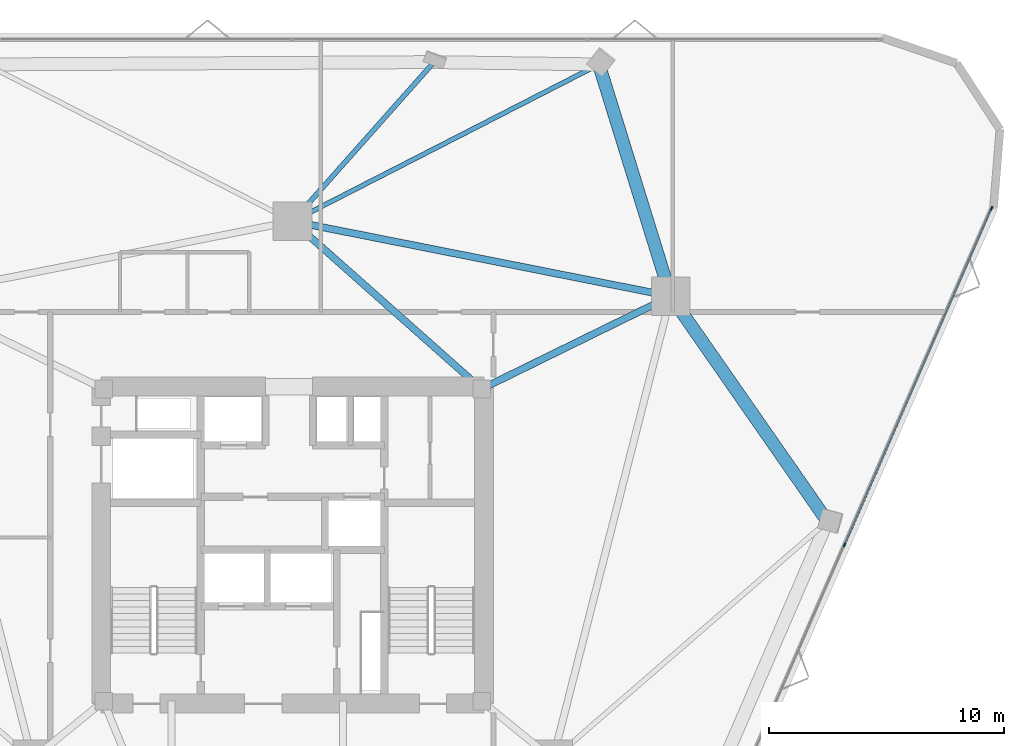
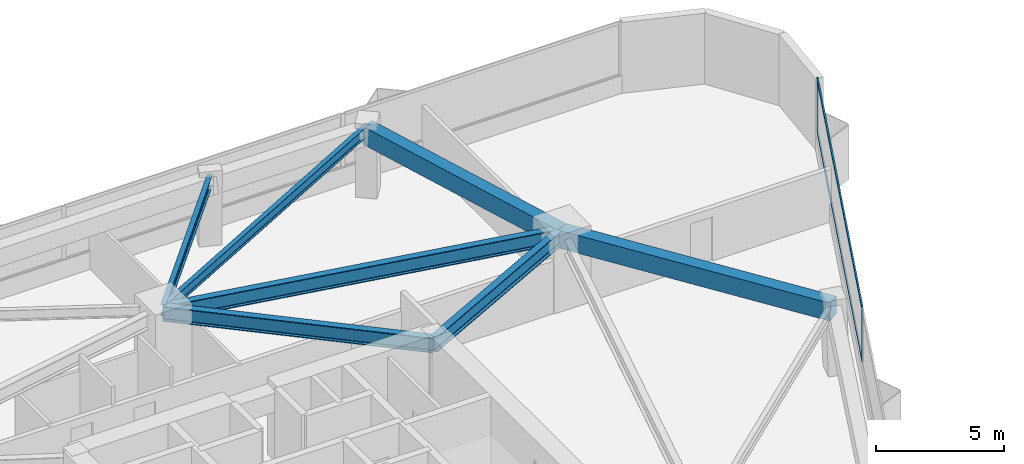
# One storey, part 6 of 15: 7 beams, 4 members, 1 element without a shape of its own.
"""IFC4 building model written with IfcOpenShell, lengths in metres."""

from ifc_helpers import new_model, si_unit, direction, frame, origin, origin_2d, place, context, subcontext, project, spatial, rectangle, i_section, extrude, material, layer, layer_set, material_profile, profile_set, type_object, element, aggregate, save


model = new_model("IFC4")

# Units and contexts
model_context = context("Model", 3, precision=1e-05, world=origin(), true_north=direction((0.0, 1.0)))
body_context = subcontext(model_context, "Body", "Model", "MODEL_VIEW")
ifc_project = project(units=[si_unit("LENGTHUNIT", "METRE"), si_unit("AREAUNIT", "SQUARE_METRE"), si_unit("VOLUMEUNIT", "CUBIC_METRE"), si_unit("PLANEANGLEUNIT", "RADIAN"), si_unit("MASSUNIT", "GRAM", prefix="KILO")], contexts=[model_context])

# Site, building, storey
site_placement = place(None, origin())
site = spatial("IfcSite", under=ifc_project, at=site_placement, CompositionType="ELEMENT")
building_placement = place(site_placement, origin())
building = spatial("IfcBuilding", under=site, at=building_placement, Name="Talyreon Biosciences Tower", CompositionType="ELEMENT")
storey_placement = place(building_placement, frame((0.0, 0.0, 111.5)))
storey = spatial("IfcBuildingStorey", under=building, at=storey_placement, Name="L29", CompositionType="ELEMENT", Elevation=111.5)

# Curtain wall, members
ifc_material_1 = material(Name="Thermally broken aluminium and low-E glazing", Category="aluminium")
ifc_layer = layer(ifc_material_1, 0.18994140625)
ifc_layer_set = layer_set([ifc_layer], Name="Thermally broken aluminium and low-E glazing")
curtain_wall_type = type_object("IfcCurtainWallType", Name="CurtainWall_Zone2Genomics", PredefinedType="NOTDEFINED", material=ifc_layer_set)
curtain_wall_placement = place(storey_placement, origin())
curtain_wall = element("IfcCurtainWall", 1, at=curtain_wall_placement, inside=storey, type_object=curtain_wall_type, Name="L29 Unitised Curtain Wall FCW-L29-08", PredefinedType="NOTDEFINED")
ifc_material_2 = material(Name="Anodised thermally broken aluminium", Category="aluminium")
ifc_material_profile_1 = material_profile(ifc_material_2, rectangle(XDim=0.06494140625, YDim=0.179931640625, at=origin_2d()), Name="ALUM MULLION 65x180")
ifc_profile_set_1 = profile_set([ifc_material_profile_1], Name="Anodised thermally broken aluminium")
member_type_1 = type_object("IfcMemberType", Name="CWMullion_65x180", PredefinedType="MULLION", material=ifc_profile_set_1)
member_1_placement = place(storey_placement, frame((95.767578125, 82.3408203125, 0.81005859375), z_axis=(0.0, 0.0, 1.0), x_axis=(0.916416470178, -0.400226002637, 0.0)))
member_1 = element("IfcMember", 2, at=member_1_placement, type_object=member_type_1, Name="CW3 mullion 1", PredefinedType="MULLION", context=body_context, shape_type="SweptSolid", body=[
    extrude(rectangle(XDim=0.06494140625, YDim=0.179931640625, at=origin_2d()), origin(), (0.0, 0.0, 1.0), 2.56494140625),
])
member_2_placement = place(storey_placement, frame((89.50830078125, 68.009033203125, 0.81005859375), z_axis=(0.0, 0.0, 1.0), x_axis=(0.916416470178, -0.400226002637, 0.0)))
member_2 = element("IfcMember", 3, at=member_2_placement, type_object=member_type_1, Name="CW3 mullion 2", PredefinedType="MULLION", context=body_context, shape_type="SweptSolid", body=[
    extrude(rectangle(XDim=0.06494140625, YDim=0.179931640625, at=origin_2d()), origin(), (0.0, 0.0, 1.0), 2.56494140625),
])
ifc_material_profile_2 = material_profile(ifc_material_2, rectangle(XDim=0.06494140625, YDim=0.139892578125, at=origin_2d()), Name="ALUM TRANSOM 65x140")
ifc_profile_set_2 = profile_set([ifc_material_profile_2], Name="Anodised thermally broken aluminium")
member_type_2 = type_object("IfcMemberType", Name="CWTransom_65x140", PredefinedType="USERDEFINED", material=ifc_profile_set_2)
member_3_placement = place(storey_placement, frame((95.75439453125, 82.31103515625, 0.842529296875), z_axis=(-0.400215954954, -0.916420858231, 0.0), x_axis=(0.916420858231, -0.400215954954, 0.0)))
member_3 = element("IfcMember", 4, at=member_3_placement, type_object=member_type_2, Name="CW3 transom 1.1", ObjectType="TRANSOM", PredefinedType="USERDEFINED", context=body_context, shape_type="SweptSolid", body=[
    extrude(rectangle(XDim=0.06494140625, YDim=0.139892578125, at=origin_2d()), origin(), (0.0, 0.0, 1.0), 15.573974609375),
])
member_4_placement = place(storey_placement, frame((95.75439453125, 82.31103515625, 3.342529296875), z_axis=(-0.400215954954, -0.916420858231, 0.0), x_axis=(0.916420858231, -0.400215954954, 0.0)))
member_4 = element("IfcMember", 5, at=member_4_placement, type_object=member_type_2, Name="CW3 transom 1.2", ObjectType="TRANSOM", PredefinedType="USERDEFINED", context=body_context, shape_type="SweptSolid", body=[
    extrude(rectangle(XDim=0.06494140625, YDim=0.139892578125, at=origin_2d()), origin(), (0.0, 0.0, 1.0), 15.573974609375),
])
aggregate(curtain_wall, [member_1, member_2, member_3, member_4])

# Beams
ifc_material_3 = material(Name="Precast concrete C45/55", Category="concrete")
ifc_material_profile_3 = material_profile(ifc_material_3, rectangle(XDim=0.550048828125, YDim=0.85009765625, at=origin_2d()), Name="RCB 550x850")
ifc_profile_set_3 = profile_set([ifc_material_profile_3], Name="Precast concrete C45/55")
beam_type_1 = type_object("IfcBeamType", Name="ExpressedSpandrel_550x850", PredefinedType="SPANDREL", material=ifc_profile_set_3)
beam_1_placement = place(storey_placement, frame((88.77880859375, 69.01171875, 2.949951171875), z_axis=(-0.571488727896, 0.820609915787, 0.0), x_axis=(-0.820609915787, -0.571488727896, 0.0)))
element("IfcBeam", 6, at=beam_1_placement, inside=storey, type_object=beam_type_1, Name="L29 Expressed Horizontal Concrete Spandrel 04", PredefinedType="SPANDREL", context=body_context, shape_type="SweptSolid", body=[
    extrude(rectangle(XDim=0.550048828125, YDim=0.85009765625, at=origin_2d()), origin(), (0.0, 0.0, 1.0), 11.6826171875),
])
beam_2_placement = place(storey_placement, frame((82.102294921875, 78.5986328125, 2.949951171875), z_axis=(-0.295777156112, 0.955256967482, 0.0), x_axis=(-0.955256967482, -0.295777156112, 0.0)))
element("IfcBeam", 7, at=beam_2_placement, inside=storey, type_object=beam_type_1, Name="L29 Expressed Horizontal Concrete Spandrel 05", PredefinedType="SPANDREL", context=body_context, shape_type="SweptSolid", body=[
    extrude(rectangle(XDim=0.550048828125, YDim=0.85009765625, at=origin_2d()), origin(), (0.0, 0.0, 1.0), 10.33349609375),
])
ifc_material_4 = material(Name="Steel SM355", Category="steel")
ifc_material_profile_4 = material_profile(ifc_material_4, i_section(OverallWidth=0.300048828125, OverallDepth=0.699951171875, WebThickness=0.01708984375, FlangeThickness=0.031982421875, FilletRadius=0.027099609375, at=origin_2d()), Name="HE700B")
ifc_profile_set_4 = profile_set([ifc_material_profile_4], Name="Steel SM355")
beam_type_2 = type_object("IfcBeamType", Name="SteelGirder_HE700B", PredefinedType="BEAM", material=ifc_profile_set_4)
beam_3_placement = place(storey_placement, frame((82.102294921875, 78.5986328125, 3.02490234375), z_axis=(-0.980933730698, 0.194342522311, 0.0), x_axis=(-0.194342522311, -0.980933730698, 0.0)))
element("IfcBeam", 8, at=beam_3_placement, inside=storey, type_object=beam_type_2, Name="L29 Mega-Ring Girder 3", PredefinedType="BEAM", context=body_context, shape_type="SweptSolid", body=[
    extrude(i_section(OverallWidth=0.300048828125, OverallDepth=0.699951171875, WebThickness=0.01708984375, FlangeThickness=0.031982421875, FilletRadius=0.027099609375, at=origin_2d()), origin(), (0.0, 0.0, 1.0), 16.415283203125),
])
beam_4_placement = place(storey_placement, frame((74.050048828125, 74.64990234375, 3.02490234375), z_axis=(0.897852360314, 0.440296648952, 0.0), x_axis=(-0.440296648952, 0.897852360314, 0.0)))
element("IfcBeam", 9, at=beam_4_placement, inside=storey, type_object=beam_type_2, Name="L29 Radial Primary Girder 3", PredefinedType="BEAM", context=body_context, shape_type="SweptSolid", body=[
    extrude(i_section(OverallWidth=0.300048828125, OverallDepth=0.699951171875, WebThickness=0.01708984375, FlangeThickness=0.031982421875, FilletRadius=0.027099609375, at=origin_2d()), origin(), (0.0, 0.0, 1.0), 8.96826171875),
])
beam_5_placement = place(storey_placement, frame((74.050048828125, 74.64990234375, 3.02490234375), z_axis=(-0.748178733955, 0.663497235908, 0.0), x_axis=(-0.663497235908, -0.748178733955, 0.0)))
element("IfcBeam", 10, at=beam_5_placement, inside=storey, type_object=beam_type_2, Name="L29 Radial Primary Girder 4", PredefinedType="BEAM", context=body_context, shape_type="SweptSolid", body=[
    extrude(i_section(OverallWidth=0.300048828125, OverallDepth=0.699951171875, WebThickness=0.01708984375, FlangeThickness=0.031982421875, FilletRadius=0.027099609375, at=origin_2d()), origin(), (0.0, 0.0, 1.0), 10.759521484375),
])
ifc_material_profile_5 = material_profile(ifc_material_4, i_section(OverallWidth=0.199951171875, OverallDepth=0.5, WebThickness=0.01025390625, FlangeThickness=0.01611328125, FilletRadius=0.02099609375, at=origin_2d()), Name="IPE500")
ifc_profile_set_5 = profile_set([ifc_material_profile_5], Name="Steel SM355")
beam_type_3 = type_object("IfcBeamType", Name="SteelJoist_IPE500", PredefinedType="JOIST", material=ifc_profile_set_5)
beam_6_placement = place(storey_placement, frame((66.0, 81.788818359375, 3.125), z_axis=(0.890074847458, 0.455814398546, 0.0), x_axis=(-0.455814398546, 0.890074847458, 0.0)))
element("IfcBeam", 11, at=beam_6_placement, inside=storey, type_object=beam_type_3, Name="L29 Radial Composite Floor Joist PC-N1", PredefinedType="JOIST", context=body_context, shape_type="SweptSolid", body=[
    extrude(i_section(OverallWidth=0.199951171875, OverallDepth=0.5, WebThickness=0.01025390625, FlangeThickness=0.01611328125, FilletRadius=0.02099609375, at=origin_2d()), origin(), (0.0, 0.0, 1.0), 14.656982421875),
])
ifc_material_profile_6 = material_profile(ifc_material_4, i_section(OverallWidth=0.2099609375, OverallDepth=0.550048828125, WebThickness=0.010986328125, FlangeThickness=0.01708984375, FilletRadius=0.02392578125, at=origin_2d()), Name="IPE550")
ifc_profile_set_6 = profile_set([ifc_material_profile_6], Name="Steel SM355")
beam_type_4 = type_object("IfcBeamType", Name="SteelJoist_IPE550", PredefinedType="JOIST", material=ifc_profile_set_6)
beam_7_placement = place(storey_placement, frame((66.0, 81.788818359375, 3.10009765625), z_axis=(0.663974402557, 0.747755302722, 0.0), x_axis=(-0.747755302722, 0.663974402557, 0.0)))
element("IfcBeam", 12, at=beam_7_placement, inside=storey, type_object=beam_type_4, Name="L29 Radial Composite Floor Joist PL-N", PredefinedType="JOIST", context=body_context, shape_type="SweptSolid", body=[
    extrude(i_section(OverallWidth=0.2099609375, OverallDepth=0.550048828125, WebThickness=0.010986328125, FlangeThickness=0.01708984375, FilletRadius=0.02392578125, at=origin_2d()), origin(), (0.0, 0.0, 1.0), 9.068603515625),
])

save(model, "model.ifc")
